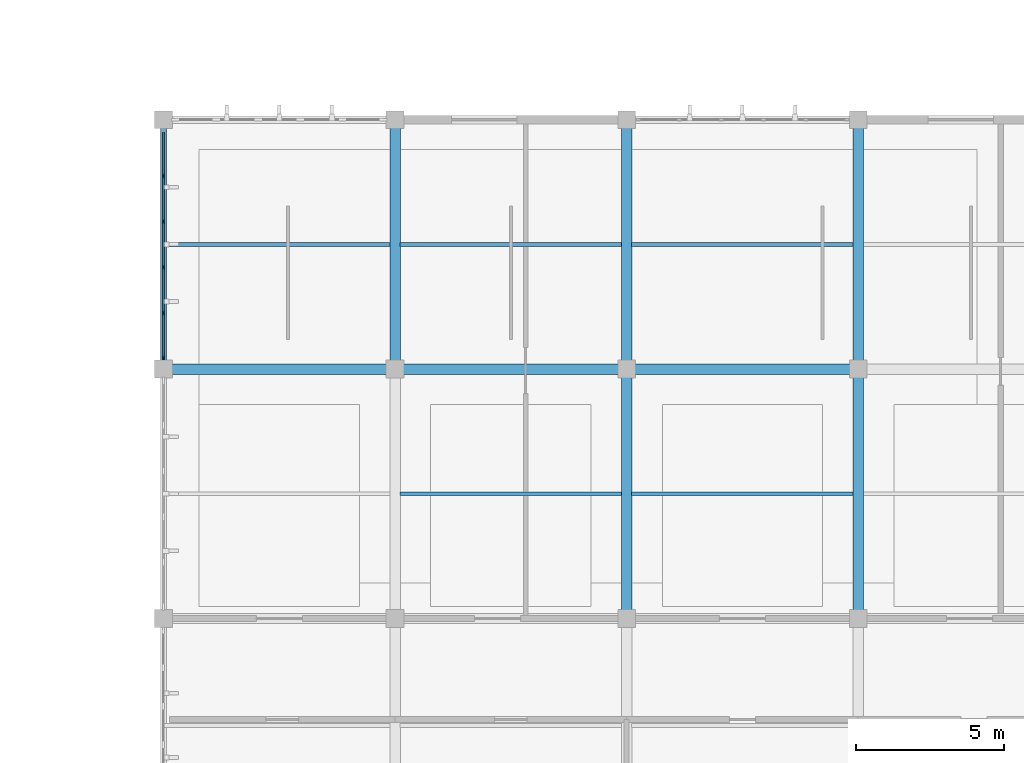
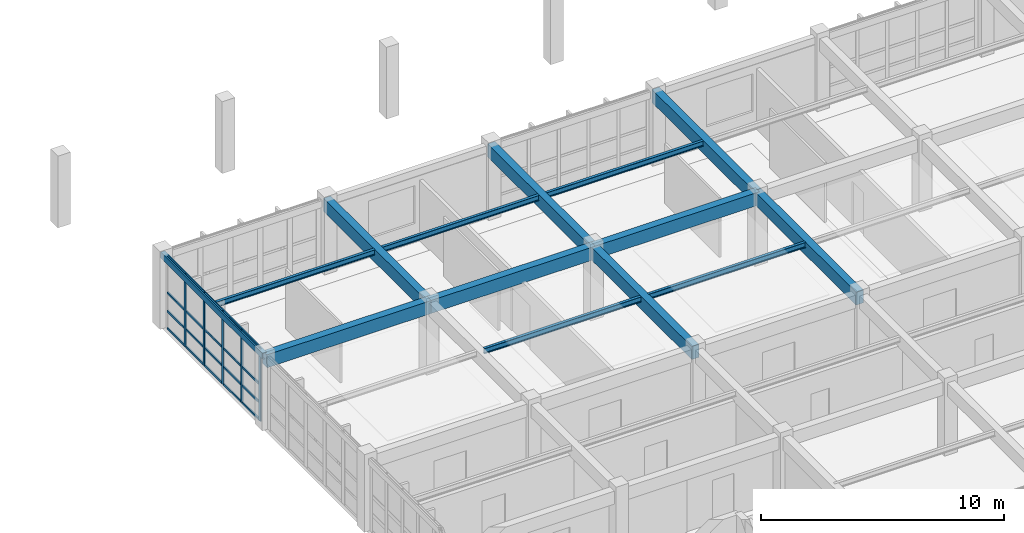
# One storey, part 8 of 67: 25 members, 14 beams, 1 element without a shape of its own.
"""IFC4 building model written with IfcOpenShell, lengths in metres."""

from ifc_helpers import new_model, si_unit, direction, frame, origin, origin_2d, place, context, subcontext, project, spatial, rectangle, hollow_rectangle, i_section, extrude, material, material_profile, profile_set, type_object, element, aggregate, save


model = new_model("IFC4")

# Units and contexts
model_context = context("Model", 3, precision=1e-05, world=origin(), true_north=direction((0.0, 1.0)))
body_context = subcontext(model_context, "Body", "Model", "MODEL_VIEW")
ifc_project = project(units=[si_unit("LENGTHUNIT", "METRE"), si_unit("AREAUNIT", "SQUARE_METRE"), si_unit("VOLUMEUNIT", "CUBIC_METRE"), si_unit("PLANEANGLEUNIT", "RADIAN"), si_unit("MASSUNIT", "GRAM", prefix="KILO")], contexts=[model_context])

# Site, building, storey
site_placement = place(None, origin())
site = spatial("IfcSite", under=ifc_project, at=site_placement, CompositionType="ELEMENT")
building_placement = place(site_placement, origin())
building = spatial("IfcBuilding", under=site, at=building_placement, Name="Tizgana Railside Sports Hall", CompositionType="ELEMENT")
storey_placement = place(building_placement, frame((0.0, 0.0, 12.0)))
storey = spatial("IfcBuildingStorey", under=building, at=storey_placement, Name="L02", CompositionType="ELEMENT", Elevation=12.0)

# Beams
ifc_material_1 = material(Name="Concrete C35/45", Category="concrete")
ifc_material_profile_1 = material_profile(ifc_material_1, rectangle(XDim=0.35009765625, YDim=0.64990234375, at=origin_2d()), Name="RCB 350x650")
ifc_profile_set_1 = profile_set([ifc_material_profile_1], Name="Concrete C35/45")
beam_type_1 = type_object("IfcBeamType", Name="Concrete Beam RCB 350x650", PredefinedType="BEAM", material=ifc_profile_set_1)
for number, where, z_axis, x_axis, name in (
    (1, (15.60009765625, 24.0, 3.31103515625), (0.0, 1.0, 0.0), (-1.0, 0.0, 0.0), "L02 BEM-0603"),
    (2, (23.39990234375, 15.60009765625, 3.31103515625), (0.0, 1.0, 0.0), (-1.0, 0.0, 0.0), "L02 BEM-0606"),
    (3, (23.39990234375, 24.0, 3.31103515625), (0.0, 1.0, 0.0), (-1.0, 0.0, 0.0), "L02 BEM-0607"),
    (4, (31.199951171875, 15.60009765625, 3.31103515625), (0.0, 1.0, 0.0), (-1.0, 0.0, 0.0), "L02 BEM-0610"),
    (5, (31.199951171875, 24.0, 3.31103515625), (0.0, 1.0, 0.0), (-1.0, 0.0, 0.0), "L02 BEM-0611"),
):
    element("IfcBeam", number, at=place(storey_placement, frame(where, z_axis=z_axis, x_axis=x_axis)), inside=storey, type_object=beam_type_1, Name=name, PredefinedType="BEAM", context=body_context, shape_type="SweptSolid", body=[
        extrude(rectangle(XDim=0.35009765625, YDim=0.64990234375, at=origin_2d()), origin(), (0.0, 0.0, 1.0), 8.39990234375),
    ])
beam_1_placement = place(storey_placement, frame((7.800048828125, 24.0, 3.31103515625), z_axis=(1.0, 0.0, 0.0), x_axis=(0.0, 1.0, 0.0)))
element("IfcBeam", 6, at=beam_1_placement, inside=storey, type_object=beam_type_1, Name="L02 BEM-0636", PredefinedType="BEAM", context=body_context, shape_type="SweptSolid", body=[
    extrude(rectangle(XDim=0.35009765625, YDim=0.64990234375, at=origin_2d()), origin(), (0.0, 0.0, 1.0), 7.800048828125),
])
beam_2_placement = place(storey_placement, frame((15.60009765625, 24.0, 3.31103515625), z_axis=(1.0, 0.0, 0.0), x_axis=(0.0, 1.0, 0.0)))
element("IfcBeam", 7, at=beam_2_placement, inside=storey, type_object=beam_type_1, Name="L02 BEM-0643", PredefinedType="BEAM", context=body_context, shape_type="SweptSolid", body=[
    extrude(rectangle(XDim=0.35009765625, YDim=0.64990234375, at=origin_2d()), origin(), (0.0, 0.0, 1.0), 7.7998046875),
])
beam_3_placement = place(storey_placement, frame((23.39990234375, 24.0, 3.31103515625), z_axis=(1.0, 0.0, 0.0), x_axis=(0.0, 1.0, 0.0)))
element("IfcBeam", 8, at=beam_3_placement, inside=storey, type_object=beam_type_1, Name="L02 BEM-0651", PredefinedType="BEAM", context=body_context, shape_type="SweptSolid", body=[
    extrude(rectangle(XDim=0.35009765625, YDim=0.64990234375, at=origin_2d()), origin(), (0.0, 0.0, 1.0), 7.800048828125),
])

# Curtain wall, members
ifc_material_2 = material(Name="Anodised aluminium and glass", Category="aluminium")
curtain_wall_type = type_object("IfcCurtainWallType", Name="Unitised Curtain Wall Studio 1400", PredefinedType="NOTDEFINED", material=ifc_material_2)
curtain_wall_placement = place(storey_placement, origin())
curtain_wall = element("IfcCurtainWall", 9, at=curtain_wall_placement, inside=storey, type_object=curtain_wall_type, Name="L02 Curtain Wall CW-0114", PredefinedType="NOTDEFINED")
ifc_material_3 = material(Name="Anodised aluminium", Category="aluminium")
ifc_material_profile_2 = material_profile(ifc_material_3, rectangle(XDim=0.06005859375, YDim=0.139892578125, at=origin_2d()), Name="Mullion 60x140")
ifc_profile_set_2 = profile_set([ifc_material_profile_2], Name="Anodised aluminium")
member_type_1 = type_object("IfcMemberType", Name="Mullion 60x140", PredefinedType="MULLION", material=ifc_profile_set_2)
member_1_placement = place(storey_placement, frame((7.800048828125, 30.507080078125, 0.0), z_axis=(0.0, 0.0, 1.0), x_axis=(1.0, 0.0, 0.0)))
member_1 = element("IfcMember", 10, at=member_1_placement, type_object=member_type_1, Name="CW-03 mullion 2", PredefinedType="MULLION", context=body_context, shape_type="SweptSolid", body=[
    extrude(rectangle(XDim=0.06005859375, YDim=0.139892578125, at=origin_2d()), origin(), (0.0, 0.0, 1.0), 3.639892578125),
])
member_2_placement = place(storey_placement, frame((7.800048828125, 28.968994140625, 0.0), z_axis=(0.0, 0.0, 1.0), x_axis=(1.0, 0.0, 0.0)))
member_2 = element("IfcMember", 11, at=member_2_placement, type_object=member_type_1, Name="CW-03 mullion 3", PredefinedType="MULLION", context=body_context, shape_type="SweptSolid", body=[
    extrude(rectangle(XDim=0.06005859375, YDim=0.139892578125, at=origin_2d()), origin(), (0.0, 0.0, 1.0), 3.639892578125),
])
member_3_placement = place(storey_placement, frame((7.800048828125, 27.430908203125, 0.0), z_axis=(0.0, 0.0, 1.0), x_axis=(1.0, 0.0, 0.0)))
member_3 = element("IfcMember", 12, at=member_3_placement, type_object=member_type_1, Name="CW-03 mullion 4", PredefinedType="MULLION", context=body_context, shape_type="SweptSolid", body=[
    extrude(rectangle(XDim=0.06005859375, YDim=0.139892578125, at=origin_2d()), origin(), (0.0, 0.0, 1.0), 3.639892578125),
])
member_4_placement = place(storey_placement, frame((7.800048828125, 25.89306640625, 0.0), z_axis=(0.0, 0.0, 1.0), x_axis=(1.0, 0.0, 0.0)))
member_4 = element("IfcMember", 13, at=member_4_placement, type_object=member_type_1, Name="CW-03 mullion 5", PredefinedType="MULLION", context=body_context, shape_type="SweptSolid", body=[
    extrude(rectangle(XDim=0.06005859375, YDim=0.139892578125, at=origin_2d()), origin(), (0.0, 0.0, 1.0), 3.639892578125),
])
member_5_placement = place(storey_placement, frame((7.800048828125, 24.385009765625, 0.0), z_axis=(0.0, 0.0, 1.0), x_axis=(1.0, 0.0, 0.0)))
member_5 = element("IfcMember", 14, at=member_5_placement, type_object=member_type_1, Name="CW-03 mullion 6", PredefinedType="MULLION", context=body_context, shape_type="SweptSolid", body=[
    extrude(rectangle(XDim=0.06005859375, YDim=0.139892578125, at=origin_2d()), origin(), (0.0, 0.0, 1.0), 3.639892578125),
])

# Beams
ifc_material_4 = material(Name="Steel S355J2", Category="steel")
ifc_material_profile_3 = material_profile(ifc_material_4, i_section(OverallWidth=0.1298828125, OverallDepth=0.27001953125, WebThickness=0.006591796875, FlangeThickness=0.01025390625, FilletRadius=0.014892578125, at=origin_2d()), Name="IPE 270")
ifc_profile_set_3 = profile_set([ifc_material_profile_3], Name="Steel S355J2")
beam_type_2 = type_object("IfcBeamType", Name="Steel Joist IPE 270", PredefinedType="JOIST", material=ifc_profile_set_3)
beam_4_placement = place(storey_placement, frame((7.800048828125, 28.199951171875, 3.5009765625), z_axis=(1.0, 0.0, 0.0), x_axis=(0.0, 1.0, 0.0)))
element("IfcBeam", 15, at=beam_4_placement, inside=storey, type_object=beam_type_2, Name="L02 BEM-0640", PredefinedType="JOIST", context=body_context, shape_type="SweptSolid", body=[
    extrude(i_section(OverallWidth=0.1298828125, OverallDepth=0.27001953125, WebThickness=0.006591796875, FlangeThickness=0.01025390625, FilletRadius=0.014892578125, at=origin_2d()), origin(), (0.0, 0.0, 1.0), 7.6298828125),
])
for number, where, z_axis, x_axis, name in (
    (16, (15.77001953125, 19.800048828125, 3.5009765625), (1.0, 0.0, 0.0), (0.0, 1.0, 0.0), "L02 BEM-0646"),
    (17, (15.77001953125, 28.199951171875, 3.5009765625), (1.0, 0.0, 0.0), (0.0, 1.0, 0.0), "L02 BEM-0647"),
    (18, (23.570068359375, 19.800048828125, 3.5009765625), (1.0, 0.0, 0.0), (0.0, 1.0, 0.0), "L02 BEM-0655"),
    (19, (23.570068359375, 28.199951171875, 3.5009765625), (1.0, 0.0, 0.0), (0.0, 1.0, 0.0), "L02 BEM-0656"),
):
    element("IfcBeam", number, at=place(storey_placement, frame(where, z_axis=z_axis, x_axis=x_axis)), inside=storey, type_object=beam_type_2, Name=name, PredefinedType="JOIST", context=body_context, shape_type="SweptSolid", body=[
        extrude(i_section(OverallWidth=0.1298828125, OverallDepth=0.27001953125, WebThickness=0.006591796875, FlangeThickness=0.01025390625, FilletRadius=0.014892578125, at=origin_2d()), origin(), (0.0, 0.0, 1.0), 7.4599609375),
    ])
ifc_material_profile_4 = material_profile(ifc_material_4, hollow_rectangle(XDim=0.199951171875, YDim=0.300048828125, WallThickness=0.010009765625, at=origin_2d()), Name="RHS 300x200x10")
ifc_profile_set_4 = profile_set([ifc_material_profile_4], Name="Steel S355J2")
beam_type_3 = type_object("IfcBeamType", Name="Steel Spandrel RHS 300x200x10", PredefinedType="SPANDREL", material=ifc_profile_set_4)
beam_5_placement = place(storey_placement, frame((7.800048828125, 24.0, 3.486083984375), z_axis=(0.0, 1.0, 0.0), x_axis=(-1.0, 0.0, 0.0)))
element("IfcBeam", 20, at=beam_5_placement, inside=storey, type_object=beam_type_3, Name="L02 BEM-0600", PredefinedType="SPANDREL", context=body_context, shape_type="SweptSolid", body=[
    extrude(hollow_rectangle(XDim=0.199951171875, YDim=0.300048828125, WallThickness=0.010009765625, at=origin_2d()), origin(), (0.0, 0.0, 1.0), 8.39990234375),
])

# Member
ifc_material_profile_5 = material_profile(ifc_material_3, rectangle(XDim=0.06005859375, YDim=0.110107421875, at=origin_2d()), Name="Transom 60x110")
ifc_profile_set_5 = profile_set([ifc_material_profile_5], Name="Anodised aluminium")
member_type_2 = type_object("IfcMemberType", Name="Transom 60x110", PredefinedType="USERDEFINED", material=ifc_profile_set_5)
member_6_placement = place(storey_placement, frame((7.800048828125, 31.985107421875, 0.030029296875), z_axis=(0.0, -1.0, 0.0), x_axis=(1.0, 0.0, 0.0)))
member_6 = element("IfcMember", 21, at=member_6_placement, type_object=member_type_2, Name="CW-03 transom 1.1", ObjectType="TRANSOM", PredefinedType="USERDEFINED", context=body_context, shape_type="SweptSolid", body=[
    extrude(rectangle(XDim=0.06005859375, YDim=0.110107421875, at=origin_2d()), origin(), (0.0, 0.0, 1.0), 1.447998046875),
])

member_7_placement = place(storey_placement, frame((7.800048828125, 31.985107421875, 0.89990234375), z_axis=(0.0, -1.0, 0.0), x_axis=(1.0, 0.0, 0.0)))
member_7 = element("IfcMember", 22, at=member_7_placement, type_object=member_type_2, Name="CW-03 transom 1.2", ObjectType="TRANSOM", PredefinedType="USERDEFINED", context=body_context, shape_type="SweptSolid", body=[
    extrude(rectangle(XDim=0.06005859375, YDim=0.110107421875, at=origin_2d()), origin(), (0.0, 0.0, 1.0), 1.447998046875),
])

member_8_placement = place(storey_placement, frame((7.800048828125, 31.985107421875, 1.820068359375), z_axis=(0.0, -1.0, 0.0), x_axis=(1.0, 0.0, 0.0)))
member_8 = element("IfcMember", 23, at=member_8_placement, type_object=member_type_2, Name="CW-03 transom 1.3", ObjectType="TRANSOM", PredefinedType="USERDEFINED", context=body_context, shape_type="SweptSolid", body=[
    extrude(rectangle(XDim=0.06005859375, YDim=0.110107421875, at=origin_2d()), origin(), (0.0, 0.0, 1.0), 1.447998046875),
])

member_9_placement = place(storey_placement, frame((7.800048828125, 31.985107421875, 3.610107421875), z_axis=(0.0, -1.0, 0.0), x_axis=(1.0, 0.0, 0.0)))
member_9 = element("IfcMember", 24, at=member_9_placement, type_object=member_type_2, Name="CW-03 transom 1.4", ObjectType="TRANSOM", PredefinedType="USERDEFINED", context=body_context, shape_type="SweptSolid", body=[
    extrude(rectangle(XDim=0.06005859375, YDim=0.110107421875, at=origin_2d()), origin(), (0.0, 0.0, 1.0), 1.447998046875),
])

member_10_placement = place(storey_placement, frame((7.800048828125, 30.47705078125, 0.030029296875), z_axis=(0.0, -1.0, 0.0), x_axis=(1.0, 0.0, 0.0)))
member_10 = element("IfcMember", 25, at=member_10_placement, type_object=member_type_2, Name="CW-03 transom 2.1", ObjectType="TRANSOM", PredefinedType="USERDEFINED", context=body_context, shape_type="SweptSolid", body=[
    extrude(rectangle(XDim=0.06005859375, YDim=0.110107421875, at=origin_2d()), origin(), (0.0, 0.0, 1.0), 1.47802734375),
])

member_11_placement = place(storey_placement, frame((7.800048828125, 30.47705078125, 0.89990234375), z_axis=(0.0, -1.0, 0.0), x_axis=(1.0, 0.0, 0.0)))
member_11 = element("IfcMember", 26, at=member_11_placement, type_object=member_type_2, Name="CW-03 transom 2.2", ObjectType="TRANSOM", PredefinedType="USERDEFINED", context=body_context, shape_type="SweptSolid", body=[
    extrude(rectangle(XDim=0.06005859375, YDim=0.110107421875, at=origin_2d()), origin(), (0.0, 0.0, 1.0), 1.47802734375),
])

member_12_placement = place(storey_placement, frame((7.800048828125, 30.47705078125, 1.820068359375), z_axis=(0.0, -1.0, 0.0), x_axis=(1.0, 0.0, 0.0)))
member_12 = element("IfcMember", 27, at=member_12_placement, type_object=member_type_2, Name="CW-03 transom 2.3", ObjectType="TRANSOM", PredefinedType="USERDEFINED", context=body_context, shape_type="SweptSolid", body=[
    extrude(rectangle(XDim=0.06005859375, YDim=0.110107421875, at=origin_2d()), origin(), (0.0, 0.0, 1.0), 1.47802734375),
])

member_13_placement = place(storey_placement, frame((7.800048828125, 30.47705078125, 3.610107421875), z_axis=(0.0, -1.0, 0.0), x_axis=(1.0, 0.0, 0.0)))
member_13 = element("IfcMember", 28, at=member_13_placement, type_object=member_type_2, Name="CW-03 transom 2.4", ObjectType="TRANSOM", PredefinedType="USERDEFINED", context=body_context, shape_type="SweptSolid", body=[
    extrude(rectangle(XDim=0.06005859375, YDim=0.110107421875, at=origin_2d()), origin(), (0.0, 0.0, 1.0), 1.47802734375),
])

member_14_placement = place(storey_placement, frame((7.800048828125, 28.93896484375, 0.030029296875), z_axis=(0.0, -1.0, 0.0), x_axis=(1.0, 0.0, 0.0)))
member_14 = element("IfcMember", 29, at=member_14_placement, type_object=member_type_2, Name="CW-03 transom 3.1", ObjectType="TRANSOM", PredefinedType="USERDEFINED", context=body_context, shape_type="SweptSolid", body=[
    extrude(rectangle(XDim=0.06005859375, YDim=0.110107421875, at=origin_2d()), origin(), (0.0, 0.0, 1.0), 1.47802734375),
])

member_15_placement = place(storey_placement, frame((7.800048828125, 28.93896484375, 0.89990234375), z_axis=(0.0, -1.0, 0.0), x_axis=(1.0, 0.0, 0.0)))
member_15 = element("IfcMember", 30, at=member_15_placement, type_object=member_type_2, Name="CW-03 transom 3.2", ObjectType="TRANSOM", PredefinedType="USERDEFINED", context=body_context, shape_type="SweptSolid", body=[
    extrude(rectangle(XDim=0.06005859375, YDim=0.110107421875, at=origin_2d()), origin(), (0.0, 0.0, 1.0), 1.47802734375),
])

member_16_placement = place(storey_placement, frame((7.800048828125, 28.93896484375, 1.820068359375), z_axis=(0.0, -1.0, 0.0), x_axis=(1.0, 0.0, 0.0)))
member_16 = element("IfcMember", 31, at=member_16_placement, type_object=member_type_2, Name="CW-03 transom 3.3", ObjectType="TRANSOM", PredefinedType="USERDEFINED", context=body_context, shape_type="SweptSolid", body=[
    extrude(rectangle(XDim=0.06005859375, YDim=0.110107421875, at=origin_2d()), origin(), (0.0, 0.0, 1.0), 1.47802734375),
])

member_17_placement = place(storey_placement, frame((7.800048828125, 28.93896484375, 3.610107421875), z_axis=(0.0, -1.0, 0.0), x_axis=(1.0, 0.0, 0.0)))
member_17 = element("IfcMember", 32, at=member_17_placement, type_object=member_type_2, Name="CW-03 transom 3.4", ObjectType="TRANSOM", PredefinedType="USERDEFINED", context=body_context, shape_type="SweptSolid", body=[
    extrude(rectangle(XDim=0.06005859375, YDim=0.110107421875, at=origin_2d()), origin(), (0.0, 0.0, 1.0), 1.47802734375),
])

member_18_placement = place(storey_placement, frame((7.800048828125, 27.40087890625, 0.030029296875), z_axis=(0.0, -1.0, 0.0), x_axis=(1.0, 0.0, 0.0)))
member_18 = element("IfcMember", 33, at=member_18_placement, type_object=member_type_2, Name="CW-03 transom 4.1", ObjectType="TRANSOM", PredefinedType="USERDEFINED", context=body_context, shape_type="SweptSolid", body=[
    extrude(rectangle(XDim=0.06005859375, YDim=0.110107421875, at=origin_2d()), origin(), (0.0, 0.0, 1.0), 1.477783203125),
])

member_19_placement = place(storey_placement, frame((7.800048828125, 27.40087890625, 0.89990234375), z_axis=(0.0, -1.0, 0.0), x_axis=(1.0, 0.0, 0.0)))
member_19 = element("IfcMember", 34, at=member_19_placement, type_object=member_type_2, Name="CW-03 transom 4.2", ObjectType="TRANSOM", PredefinedType="USERDEFINED", context=body_context, shape_type="SweptSolid", body=[
    extrude(rectangle(XDim=0.06005859375, YDim=0.110107421875, at=origin_2d()), origin(), (0.0, 0.0, 1.0), 1.477783203125),
])

member_20_placement = place(storey_placement, frame((7.800048828125, 27.40087890625, 1.820068359375), z_axis=(0.0, -1.0, 0.0), x_axis=(1.0, 0.0, 0.0)))
member_20 = element("IfcMember", 35, at=member_20_placement, type_object=member_type_2, Name="CW-03 transom 4.3", ObjectType="TRANSOM", PredefinedType="USERDEFINED", context=body_context, shape_type="SweptSolid", body=[
    extrude(rectangle(XDim=0.06005859375, YDim=0.110107421875, at=origin_2d()), origin(), (0.0, 0.0, 1.0), 1.477783203125),
])

member_21_placement = place(storey_placement, frame((7.800048828125, 27.40087890625, 3.610107421875), z_axis=(0.0, -1.0, 0.0), x_axis=(1.0, 0.0, 0.0)))
member_21 = element("IfcMember", 36, at=member_21_placement, type_object=member_type_2, Name="CW-03 transom 4.4", ObjectType="TRANSOM", PredefinedType="USERDEFINED", context=body_context, shape_type="SweptSolid", body=[
    extrude(rectangle(XDim=0.06005859375, YDim=0.110107421875, at=origin_2d()), origin(), (0.0, 0.0, 1.0), 1.477783203125),
])

member_22_placement = place(storey_placement, frame((7.800048828125, 25.863037109375, 0.030029296875), z_axis=(0.0, -1.0, 0.0), x_axis=(1.0, 0.0, 0.0)))
member_22 = element("IfcMember", 37, at=member_22_placement, type_object=member_type_2, Name="CW-03 transom 5.1", ObjectType="TRANSOM", PredefinedType="USERDEFINED", context=body_context, shape_type="SweptSolid", body=[
    extrude(rectangle(XDim=0.06005859375, YDim=0.110107421875, at=origin_2d()), origin(), (0.0, 0.0, 1.0), 1.447998046875),
])

member_23_placement = place(storey_placement, frame((7.800048828125, 25.863037109375, 0.89990234375), z_axis=(0.0, -1.0, 0.0), x_axis=(1.0, 0.0, 0.0)))
member_23 = element("IfcMember", 38, at=member_23_placement, type_object=member_type_2, Name="CW-03 transom 5.2", ObjectType="TRANSOM", PredefinedType="USERDEFINED", context=body_context, shape_type="SweptSolid", body=[
    extrude(rectangle(XDim=0.06005859375, YDim=0.110107421875, at=origin_2d()), origin(), (0.0, 0.0, 1.0), 1.447998046875),
])

member_24_placement = place(storey_placement, frame((7.800048828125, 25.863037109375, 1.820068359375), z_axis=(0.0, -1.0, 0.0), x_axis=(1.0, 0.0, 0.0)))
member_24 = element("IfcMember", 39, at=member_24_placement, type_object=member_type_2, Name="CW-03 transom 5.3", ObjectType="TRANSOM", PredefinedType="USERDEFINED", context=body_context, shape_type="SweptSolid", body=[
    extrude(rectangle(XDim=0.06005859375, YDim=0.110107421875, at=origin_2d()), origin(), (0.0, 0.0, 1.0), 1.447998046875),
])

member_25_placement = place(storey_placement, frame((7.800048828125, 25.863037109375, 3.610107421875), z_axis=(0.0, -1.0, 0.0), x_axis=(1.0, 0.0, 0.0)))
member_25 = element("IfcMember", 40, at=member_25_placement, type_object=member_type_2, Name="CW-03 transom 5.4", ObjectType="TRANSOM", PredefinedType="USERDEFINED", context=body_context, shape_type="SweptSolid", body=[
    extrude(rectangle(XDim=0.06005859375, YDim=0.110107421875, at=origin_2d()), origin(), (0.0, 0.0, 1.0), 1.447998046875),
])

aggregate(curtain_wall, [member_1, member_2, member_3, member_4, member_5, member_6, member_7, member_8, member_9, member_10, member_11, member_12, member_13, member_14, member_15, member_16, member_17, member_18, member_19, member_20, member_21, member_22, member_23, member_24, member_25])

save(model, "model.ifc")
